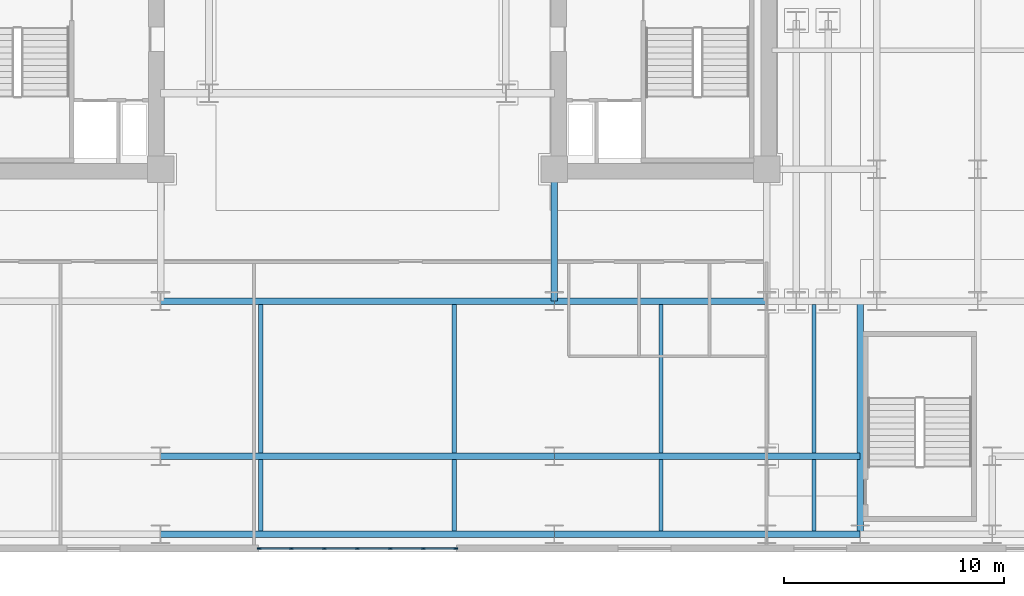
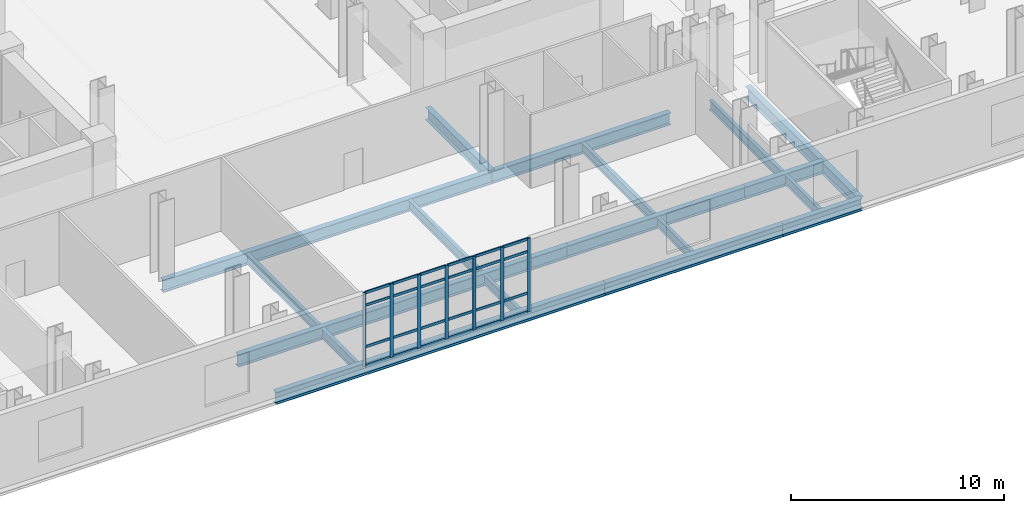
# One storey, part 3 of 15: 31 members, 18 beams, 1 element without a shape of its own.
"""IFC4 building model written with IfcOpenShell, lengths in metres."""

import ifcopenshell
import ifcopenshell.guid

model = None  # the IFC model being written
_history = None  # IfcOwnerHistory: only IFC2X3 demands one
_inside = {}  # id of a spatial element -> (the spatial element, [elements in it])
_under = {}  # id of a project, library or spatial element -> (it, [spatial elements below it])
_declared = {}  # id of a project -> (the project, [libraries it declares])
_typed = {}  # id of a type object -> (the type object, [elements of that type])
_made_of = {}  # id of a material, layer set ... -> (it, [elements and type objects made of it])


def new_model(schema):
    """Start an empty IFC model of exactly this schema.

    Asked for "IFC4X3", IfcOpenShell would pick the latest addendum, in which some entities
    have other attributes; the version numbers below select the first issue.
    IFC2X3 requires an IfcOwnerHistory on every rooted entity: one is made here for all.
    """
    global model, _history
    if schema == "IFC4X3":
        model = ifcopenshell.file(schema_version=(4, 3, 0, 0))
    else:
        model = ifcopenshell.file(schema=schema)
    _inside.clear()
    _under.clear()
    _declared.clear()
    _typed.clear()
    _made_of.clear()
    _history = None
    if model.schema == "IFC2X3":
        org = make("IfcOrganization", Name="unknown")
        user = make(
            "IfcPersonAndOrganization",
            ThePerson=make("IfcPerson", FamilyName="unknown"),
            TheOrganization=org,
        )
        app = make(
            "IfcApplication",
            ApplicationDeveloper=org,
            Version="unknown",
            ApplicationFullName="unknown",
            ApplicationIdentifier="unknown",
        )
        _history = make(
            "IfcOwnerHistory",
            OwningUser=user,
            OwningApplication=app,
            ChangeAction="ADDED",
            CreationDate=0,
        )
    return model


def make(cls, **values):
    """One entity of the class cls with the attributes given. An attribute that is None is left unset."""
    return model.create_entity(
        cls, **{name: value for name, value in values.items() if value is not None}
    )


def rooted(cls, **values):
    """An entity with a GlobalId (a new one), such as an element, a storey or a relation."""
    return make(cls, GlobalId=ifcopenshell.guid.new(), OwnerHistory=_history, **values)


def si_unit(unit_type, name, prefix=None):
    """IfcSIUnit, for example si_unit("LENGTHUNIT", "METRE", prefix="MILLI")."""
    return make("IfcSIUnit", UnitType=unit_type, Prefix=prefix, Name=name)


def assignment(units):
    """IfcUnitAssignment: the units of a project."""
    return None if units is None else make("IfcUnitAssignment", Units=units)


def point(xyz):
    """IfcCartesianPoint."""
    return None if xyz is None else make("IfcCartesianPoint", Coordinates=xyz)


def direction(xyz):
    """IfcDirection."""
    return None if xyz is None else make("IfcDirection", DirectionRatios=xyz)


def frame(location, z_axis=None, x_axis=None):
    """IfcAxis2Placement3D, a coordinate frame: its origin and axes. An axis left out is left unset."""
    return make(
        "IfcAxis2Placement3D",
        Location=point(location),
        Axis=direction(z_axis),
        RefDirection=direction(x_axis),
    )


def frame_2d(location, x_axis=None):
    """IfcAxis2Placement2D, a coordinate frame in the plane: its origin and x axis."""
    return make(
        "IfcAxis2Placement2D", Location=point(location), RefDirection=direction(x_axis)
    )


def origin():
    """The frame at (0, 0, 0) with its axes left unset."""
    return frame((0.0, 0.0, 0.0))


def origin_2d():
    """The frame at (0, 0) in the plane with its x axis left unset."""
    return frame_2d((0.0, 0.0))


def place(relative_to, where):
    """IfcLocalPlacement: puts the frame where relative to a parent placement (None: the world)."""
    return make(
        "IfcLocalPlacement", PlacementRelTo=relative_to, RelativePlacement=where
    )


def context(
    kind, dimensions, precision=None, world=None, true_north=None, identifier=None
):
    """IfcGeometricRepresentationContext, for example the 3D "Model" context."""
    return make(
        "IfcGeometricRepresentationContext",
        ContextIdentifier=identifier,
        ContextType=kind,
        CoordinateSpaceDimension=dimensions,
        Precision=precision,
        WorldCoordinateSystem=world,
        TrueNorth=true_north,
    )


def subcontext(parent, identifier, kind, view, scale=None):
    """IfcGeometricRepresentationSubContext, for example "Body" below "Model"."""
    return make(
        "IfcGeometricRepresentationSubContext",
        ContextIdentifier=identifier,
        ContextType=kind,
        ParentContext=parent,
        TargetScale=scale,
        TargetView=view,
    )


def project(units=None, contexts=None):
    """IfcProject with its units and contexts."""
    return rooted(
        "IfcProject",
        Name="project",
        RepresentationContexts=contexts,
        UnitsInContext=assignment(units),
    )


def spatial(cls, under=None, at=None, **own):
    """A site, building, storey or space (cls), placed at a placement, below another one or the project."""
    s = rooted(cls, ObjectPlacement=at, **own)
    if under is not None:
        _under.setdefault(under.id(), (under, []))[1].append(s)
    return s


def profile(cls, at=None, kind="AREA", **sizes):
    """A parametric profile (cls). Its sizes go by their IFC names, for example OverallWidth=200.0."""
    return make(cls, ProfileType=kind, Position=at, **sizes)


def rectangle(**sizes):
    """IfcRectangleProfileDef."""
    return profile("IfcRectangleProfileDef", **sizes)


def i_section(**sizes):
    """IfcIShapeProfileDef."""
    return profile("IfcIShapeProfileDef", **sizes)


def extrude(swept, where, along, depth):
    """IfcExtrudedAreaSolid: the profile swept, set in the frame where, extruded along a direction by depth."""
    return make(
        "IfcExtrudedAreaSolid",
        SweptArea=swept,
        Position=where,
        ExtrudedDirection=direction(along),
        Depth=depth,
    )


def shape(context_of_items, identifier, shape_type, items):
    """IfcShapeRepresentation: the items that make up one representation, for example the "Body"."""
    return make(
        "IfcShapeRepresentation",
        ContextOfItems=context_of_items,
        RepresentationIdentifier=identifier,
        RepresentationType=shape_type,
        Items=items,
    )


def material(Name=None, Category=None):
    """IfcMaterial."""
    return make("IfcMaterial", Name=Name, Category=Category)


def layer(
    of_material, thickness, ventilated=None, Name=None, Category=None, Priority=None
):
    """IfcMaterialLayer: one layer of a wall or slab, of a material (None: an air gap)."""
    return make(
        "IfcMaterialLayer",
        Material=of_material,
        LayerThickness=thickness,
        IsVentilated=ventilated,
        Name=Name,
        Category=Category,
        Priority=Priority,
    )


def layer_set(layers, Name=None):
    """IfcMaterialLayerSet."""
    return make("IfcMaterialLayerSet", MaterialLayers=layers, LayerSetName=Name)


def material_profile(
    of_material, cross_section, Name=None, Category=None, Priority=None
):
    """IfcMaterialProfile: a cross section and its material."""
    return make(
        "IfcMaterialProfile",
        Name=Name,
        Material=of_material,
        Profile=cross_section,
        Priority=Priority,
        Category=Category,
    )


def profile_set(profiles, Name=None, composite=None):
    """IfcMaterialProfileSet."""
    return make(
        "IfcMaterialProfileSet",
        Name=Name,
        MaterialProfiles=profiles,
        CompositeProfile=composite,
    )


def made_of(thing, what):
    """Note that an element or type object is made of a material, layer set ...; save() writes the relation."""
    if what is not None:
        _made_of.setdefault(what.id(), (what, []))[1].append(thing)
    return thing


def type_object(cls, material=None, **own):
    """A type object (cls), such as IfcWallType, which elements share."""
    return made_of(rooted(cls, **own), material)


def element(
    cls,
    number,
    at=None,
    inside=None,
    cuts=None,
    type_object=None,
    material=None,
    context=None,
    identifier="Body",
    shape_type=None,
    held_by="IfcProductDefinitionShape",
    body=None,
    shapes=None,
    **own,
):
    """One element of the class cls, such as IfcWall. Its Tag is "e" and its number.

    at: its placement. inside: the storey or other place that contains it. cuts: it is an
    opening in that element (IfcRelVoidsElement). A single representation is given by context,
    identifier, shape_type and body (its items); several are given by shapes. held_by: the class
    of the entity that holds the representations. save() writes the other relations.
    """
    e = rooted(cls, Tag="e%d" % number, ObjectPlacement=at, **own)
    if body is not None:
        shapes = [shape(context, identifier, shape_type, body)]
    if shapes is not None:
        e.Representation = make(held_by, Representations=shapes)
    if inside is not None:
        _inside.setdefault(inside.id(), (inside, []))[1].append(e)
    if cuts is not None:
        rooted(
            "IfcRelVoidsElement", RelatingBuildingElement=cuts, RelatedOpeningElement=e
        )
    if type_object is not None:
        _typed.setdefault(type_object.id(), (type_object, []))[1].append(e)
    return made_of(e, material)


def aggregate(whole, parts):
    """IfcRelAggregates: a whole, such as a stair, and the parts it consists of."""
    return rooted("IfcRelAggregates", RelatingObject=whole, RelatedObjects=parts)


def save(model, path):
    """Write the relations noted so far, then the file.

    IfcRelAggregates (storeys below a building ...), IfcRelContainedInSpatialStructure (elements
    in a storey), IfcRelDefinesByType, IfcRelAssociatesMaterial and IfcRelDeclares: one each for
    every whole, place, type object, material and project.
    """
    for whole, parts in _under.values():
        aggregate(whole, parts)
    for where, things in _inside.values():
        rooted(
            "IfcRelContainedInSpatialStructure",
            RelatedElements=things,
            RelatingStructure=where,
        )
    for kind, things in _typed.values():
        rooted("IfcRelDefinesByType", RelatedObjects=things, RelatingType=kind)
    for what, things in _made_of.values():
        rooted("IfcRelAssociatesMaterial", RelatedObjects=things, RelatingMaterial=what)
    for by, libraries in _declared.values():
        rooted("IfcRelDeclares", RelatingContext=by, RelatedDefinitions=libraries)
    model.write(path)


model = new_model("IFC4")

# Units and contexts
model_context = context("Model", 3, precision=1e-05, world=origin(), true_north=direction((0.0, 1.0)))
body_context = subcontext(model_context, "Body", "Model", "MODEL_VIEW")
ifc_project = project(units=[si_unit("LENGTHUNIT", "METRE"), si_unit("AREAUNIT", "SQUARE_METRE"), si_unit("VOLUMEUNIT", "CUBIC_METRE"), si_unit("PLANEANGLEUNIT", "RADIAN"), si_unit("MASSUNIT", "GRAM", prefix="KILO")], contexts=[model_context])

# Site, building, storey
site_placement = place(None, origin())
site = spatial("IfcSite", under=ifc_project, at=site_placement, CompositionType="ELEMENT")
building_placement = place(site_placement, origin())
building = spatial("IfcBuilding", under=site, at=building_placement, Name="Velakula Bourse", CompositionType="ELEMENT")
storey_placement = place(building_placement, frame((0.0, 0.0, 14.10009765625)))
storey = spatial("IfcBuildingStorey", under=building, at=storey_placement, Name="L03", CompositionType="ELEMENT", Elevation=14.10009765625)

# Beams
ifc_material_1 = material(Name="Steel IS 2062 Grade 350 (E350)", Category="steel")
ifc_material_profile_1 = material_profile(ifc_material_1, i_section(OverallWidth=0.300048828125, OverallDepth=0.699951171875, WebThickness=0.01611328125, FlangeThickness=0.02490234375, at=origin_2d()), Name="Steel IS 2062 Grade 350 (E350)")
ifc_profile_set_1 = profile_set([ifc_material_profile_1], Name="Steel IS 2062 Grade 350 (E350)")
beam_type_1 = type_object("IfcBeamType", Name="BM-POD-700", PredefinedType="BEAM", material=ifc_profile_set_1)
beam_1_placement = place(storey_placement, frame((8.949951171875, -14.60009765625, -0.60009765625), z_axis=(0.0, 1.0, 0.0), x_axis=(-1.0, 0.0, 0.0)))
element("IfcBeam", 1, at=beam_1_placement, inside=storey, type_object=beam_type_1, Name="L03 Fulcrum Grid Girder FLC-ECS", PredefinedType="BEAM", context=body_context, shape_type="SweptSolid", body=[
    extrude(i_section(OverallWidth=0.300048828125, OverallDepth=0.699951171875, WebThickness=0.01611328125, FlangeThickness=0.02490234375, at=origin_2d()), origin(), (0.0, 0.0, 1.0), 6.0),
])
beam_2_placement = place(storey_placement, frame((-8.949951171875, -14.60009765625, -0.60009765625), z_axis=(1.0, 0.0, 0.0), x_axis=(0.0, 1.0, 0.0)))
element("IfcBeam", 2, at=beam_2_placement, inside=storey, type_object=beam_type_1, Name="L03 Fulcrum Grid Girder FLC-S2", PredefinedType="BEAM", context=body_context, shape_type="SweptSolid", body=[
    extrude(i_section(OverallWidth=0.300048828125, OverallDepth=0.699951171875, WebThickness=0.01611328125, FlangeThickness=0.02490234375, at=origin_2d()), origin(), (0.0, 0.0, 1.0), 17.89990234375),
])
beam_3_placement = place(storey_placement, frame((8.949951171875, -14.60009765625, -0.60009765625), z_axis=(1.0, 0.0, 0.0), x_axis=(0.0, 1.0, 0.0)))
element("IfcBeam", 3, at=beam_3_placement, inside=storey, type_object=beam_type_1, Name="L03 Fulcrum Grid Girder FLC-S3", PredefinedType="BEAM", context=body_context, shape_type="SweptSolid", body=[
    extrude(i_section(OverallWidth=0.300048828125, OverallDepth=0.699951171875, WebThickness=0.01611328125, FlangeThickness=0.02490234375, at=origin_2d()), origin(), (0.0, 0.0, 1.0), 9.650146484375),
])
beam_4_placement = place(storey_placement, frame((22.85009765625, -25.199951171875, -0.60009765625), z_axis=(0.0, 1.0, 0.0), x_axis=(-1.0, 0.0, 0.0)))
element("IfcBeam", 4, at=beam_4_placement, inside=storey, type_object=beam_type_1, Name="L03 Podium Stairwell Header Girder STE", PredefinedType="BEAM", context=body_context, shape_type="SweptSolid", body=[
    extrude(i_section(OverallWidth=0.300048828125, OverallDepth=0.699951171875, WebThickness=0.01611328125, FlangeThickness=0.02490234375, at=origin_2d()), origin(), (0.0, 0.0, 1.0), 10.599853515625),
])
beam_5_placement = place(storey_placement, frame((-8.949951171875, -25.199951171875, -0.60009765625), z_axis=(1.0, 0.0, 0.0), x_axis=(0.0, 1.0, 0.0)))
element("IfcBeam", 5, at=beam_5_placement, inside=storey, type_object=beam_type_1, Name="L03 Podium E-W Girder 06", PredefinedType="BEAM", context=body_context, shape_type="SweptSolid", body=[
    extrude(i_section(OverallWidth=0.300048828125, OverallDepth=0.699951171875, WebThickness=0.01611328125, FlangeThickness=0.02490234375, at=origin_2d()), origin(), (0.0, 0.0, 1.0), 17.89990234375),
])
beam_6_placement = place(storey_placement, frame((8.949951171875, -25.199951171875, -0.60009765625), z_axis=(1.0, 0.0, 0.0), x_axis=(0.0, 1.0, 0.0)))
element("IfcBeam", 6, at=beam_6_placement, inside=storey, type_object=beam_type_1, Name="L03 Podium E-W Girder 07", PredefinedType="BEAM", context=body_context, shape_type="SweptSolid", body=[
    extrude(i_section(OverallWidth=0.300048828125, OverallDepth=0.699951171875, WebThickness=0.01611328125, FlangeThickness=0.02490234375, at=origin_2d()), origin(), (0.0, 0.0, 1.0), 9.650146484375),
])
beam_7_placement = place(storey_placement, frame((18.60009765625, -25.199951171875, -0.60009765625), z_axis=(1.0, 0.0, 0.0), x_axis=(0.0, 1.0, 0.0)))
element("IfcBeam", 7, at=beam_7_placement, inside=storey, type_object=beam_type_1, Name="L03 Podium E-W Girder 08", PredefinedType="BEAM", context=body_context, shape_type="SweptSolid", body=[
    extrude(i_section(OverallWidth=0.300048828125, OverallDepth=0.699951171875, WebThickness=0.01611328125, FlangeThickness=0.02490234375, at=origin_2d()), origin(), (0.0, 0.0, 1.0), 4.25),
])
beam_8_placement = place(storey_placement, frame((-8.949951171875, -21.64990234375, -0.60009765625), z_axis=(1.0, 0.0, 0.0), x_axis=(0.0, 1.0, 0.0)))
element("IfcBeam", 8, at=beam_8_placement, inside=storey, type_object=beam_type_1, Name="L03 Podium E-W Girder 16", PredefinedType="BEAM", context=body_context, shape_type="SweptSolid", body=[
    extrude(i_section(OverallWidth=0.300048828125, OverallDepth=0.699951171875, WebThickness=0.01611328125, FlangeThickness=0.02490234375, at=origin_2d()), origin(), (0.0, 0.0, 1.0), 17.89990234375),
])
beam_9_placement = place(storey_placement, frame((8.949951171875, -21.64990234375, -0.60009765625), z_axis=(1.0, 0.0, 0.0), x_axis=(0.0, 1.0, 0.0)))
element("IfcBeam", 9, at=beam_9_placement, inside=storey, type_object=beam_type_1, Name="L03 Podium E-W Girder 17", PredefinedType="BEAM", context=body_context, shape_type="SweptSolid", body=[
    extrude(i_section(OverallWidth=0.300048828125, OverallDepth=0.699951171875, WebThickness=0.01611328125, FlangeThickness=0.02490234375, at=origin_2d()), origin(), (0.0, 0.0, 1.0), 9.650146484375),
])
beam_10_placement = place(storey_placement, frame((18.60009765625, -21.64990234375, -0.60009765625), z_axis=(1.0, 0.0, 0.0), x_axis=(0.0, 1.0, 0.0)))
element("IfcBeam", 10, at=beam_10_placement, inside=storey, type_object=beam_type_1, Name="L03 Podium E-W Girder 18", PredefinedType="BEAM", context=body_context, shape_type="SweptSolid", body=[
    extrude(i_section(OverallWidth=0.300048828125, OverallDepth=0.699951171875, WebThickness=0.01611328125, FlangeThickness=0.02490234375, at=origin_2d()), origin(), (0.0, 0.0, 1.0), 4.25),
])
ifc_material_profile_2 = material_profile(ifc_material_1, i_section(OverallWidth=0.18994140625, OverallDepth=0.550048828125, WebThickness=0.01123046875, FlangeThickness=0.019287109375, at=origin_2d()), Name="Steel IS 2062 Grade 350 (E350)")
ifc_profile_set_2 = profile_set([ifc_material_profile_2], Name="Steel IS 2062 Grade 350 (E350)")
beam_type_2 = type_object("IfcBeamType", Name="JST-POD-550", PredefinedType="JOIST", material=ifc_profile_set_2)
beam_11_placement = place(storey_placement, frame((-4.39990234375, -25.050048828125, -0.525146484375), z_axis=(0.0, 1.0, 0.0), x_axis=(-1.0, 0.0, 0.0)))
element("IfcBeam", 11, at=beam_11_placement, inside=storey, type_object=beam_type_2, Name="L03 Station Podium Floor Joist 13", PredefinedType="JOIST", context=body_context, shape_type="SweptSolid", body=[
    extrude(i_section(OverallWidth=0.18994140625, OverallDepth=0.550048828125, WebThickness=0.01123046875, FlangeThickness=0.019287109375, at=origin_2d()), origin(), (0.0, 0.0, 1.0), 3.25),
])
beam_12_placement = place(storey_placement, frame((-4.39990234375, -21.5, -0.525146484375), z_axis=(0.0, 1.0, 0.0), x_axis=(-1.0, 0.0, 0.0)))
element("IfcBeam", 12, at=beam_12_placement, inside=storey, type_object=beam_type_2, Name="L03 Station Podium Floor Joist 14", PredefinedType="JOIST", context=body_context, shape_type="SweptSolid", body=[
    extrude(i_section(OverallWidth=0.18994140625, OverallDepth=0.550048828125, WebThickness=0.01123046875, FlangeThickness=0.019287109375, at=origin_2d()), origin(), (0.0, 0.0, 1.0), 6.75),
])
beam_13_placement = place(storey_placement, frame((4.39990234375, -25.050048828125, -0.525146484375), z_axis=(0.0, 1.0, 0.0), x_axis=(-1.0, 0.0, 0.0)))
element("IfcBeam", 13, at=beam_13_placement, inside=storey, type_object=beam_type_2, Name="L03 Station Podium Floor Joist 17", PredefinedType="JOIST", context=body_context, shape_type="SweptSolid", body=[
    extrude(i_section(OverallWidth=0.18994140625, OverallDepth=0.550048828125, WebThickness=0.01123046875, FlangeThickness=0.019287109375, at=origin_2d()), origin(), (0.0, 0.0, 1.0), 3.25),
])
beam_14_placement = place(storey_placement, frame((4.39990234375, -21.5, -0.525146484375), z_axis=(0.0, 1.0, 0.0), x_axis=(-1.0, 0.0, 0.0)))
element("IfcBeam", 14, at=beam_14_placement, inside=storey, type_object=beam_type_2, Name="L03 Station Podium Floor Joist 18", PredefinedType="JOIST", context=body_context, shape_type="SweptSolid", body=[
    extrude(i_section(OverallWidth=0.18994140625, OverallDepth=0.550048828125, WebThickness=0.01123046875, FlangeThickness=0.019287109375, at=origin_2d()), origin(), (0.0, 0.0, 1.0), 6.75),
])
beam_15_placement = place(storey_placement, frame((13.800048828125, -25.050048828125, -0.525146484375), z_axis=(0.0, 1.0, 0.0), x_axis=(-1.0, 0.0, 0.0)))
element("IfcBeam", 15, at=beam_15_placement, inside=storey, type_object=beam_type_2, Name="L03 Station Podium Floor Joist 21", PredefinedType="JOIST", context=body_context, shape_type="SweptSolid", body=[
    extrude(i_section(OverallWidth=0.18994140625, OverallDepth=0.550048828125, WebThickness=0.01123046875, FlangeThickness=0.019287109375, at=origin_2d()), origin(), (0.0, 0.0, 1.0), 3.25),
])
beam_16_placement = place(storey_placement, frame((13.800048828125, -21.5, -0.525146484375), z_axis=(0.0, 1.0, 0.0), x_axis=(-1.0, 0.0, 0.0)))
element("IfcBeam", 16, at=beam_16_placement, inside=storey, type_object=beam_type_2, Name="L03 Station Podium Floor Joist 22", PredefinedType="JOIST", context=body_context, shape_type="SweptSolid", body=[
    extrude(i_section(OverallWidth=0.18994140625, OverallDepth=0.550048828125, WebThickness=0.01123046875, FlangeThickness=0.019287109375, at=origin_2d()), origin(), (0.0, 0.0, 1.0), 6.75),
])
beam_17_placement = place(storey_placement, frame((20.75, -25.050048828125, -0.525146484375), z_axis=(0.0, 1.0, 0.0), x_axis=(-1.0, 0.0, 0.0)))
element("IfcBeam", 17, at=beam_17_placement, inside=storey, type_object=beam_type_2, Name="L03 Station Podium Floor Joist 25", PredefinedType="JOIST", context=body_context, shape_type="SweptSolid", body=[
    extrude(i_section(OverallWidth=0.18994140625, OverallDepth=0.550048828125, WebThickness=0.01123046875, FlangeThickness=0.019287109375, at=origin_2d()), origin(), (0.0, 0.0, 1.0), 3.25),
])
beam_18_placement = place(storey_placement, frame((20.75, -21.5, -0.525146484375), z_axis=(0.0, 1.0, 0.0), x_axis=(-1.0, 0.0, 0.0)))
element("IfcBeam", 18, at=beam_18_placement, inside=storey, type_object=beam_type_2, Name="L03 Station Podium Floor Joist 26", PredefinedType="JOIST", context=body_context, shape_type="SweptSolid", body=[
    extrude(i_section(OverallWidth=0.18994140625, OverallDepth=0.550048828125, WebThickness=0.01123046875, FlangeThickness=0.019287109375, at=origin_2d()), origin(), (0.0, 0.0, 1.0), 6.75),
])

# Curtain wall, members
ifc_material_2 = material(Name="Anodised bronze architectural aluminium", Category="aluminium")
ifc_layer = layer(ifc_material_2, 0.179931640625, Name="Anodised bronze architectural aluminium", Category="aluminium")
ifc_layer_set = layer_set([ifc_layer], Name="Anodised bronze architectural aluminium")
curtain_wall_type = type_object("IfcCurtainWallType", Name="CW-PD1", PredefinedType="NOTDEFINED", material=ifc_layer_set)
curtain_wall_placement = place(storey_placement, origin())
curtain_wall = element("IfcCurtainWall", 19, at=curtain_wall_placement, inside=storey, type_object=curtain_wall_type, Name="L03 South Station Galleria Curtain Wall 2", PredefinedType="NOTDEFINED")
ifc_material_profile_3 = material_profile(ifc_material_2, rectangle(XDim=0.06005859375, YDim=0.179931640625, at=origin_2d()), Name="Anodised bronze architectural aluminium")
ifc_profile_set_3 = profile_set([ifc_material_profile_3], Name="Anodised bronze architectural aluminium")
member_type_1 = type_object("IfcMemberType", Name="MUL-CW-PD1", PredefinedType="MULLION", material=ifc_profile_set_3)
member_1_placement = place(storey_placement, frame((4.469970703125, -25.840087890625, 0.0), z_axis=(0.0, 0.0, 1.0), x_axis=(0.0, -1.0, 0.0)))
member_1 = element("IfcMember", 20, at=member_1_placement, type_object=member_type_1, Name="CW-PD1 mullion 1", PredefinedType="MULLION", context=body_context, shape_type="SweptSolid", body=[
    extrude(rectangle(XDim=0.06005859375, YDim=0.179931640625, at=origin_2d()), origin(), (0.0, 0.0, 1.0), 4.22998046875),
])
member_2_placement = place(storey_placement, frame((3.0, -25.840087890625, 0.0), z_axis=(0.0, 0.0, 1.0), x_axis=(0.0, -1.0, 0.0)))
member_2 = element("IfcMember", 21, at=member_2_placement, type_object=member_type_1, Name="CW-PD1 mullion 2", PredefinedType="MULLION", context=body_context, shape_type="SweptSolid", body=[
    extrude(rectangle(XDim=0.06005859375, YDim=0.179931640625, at=origin_2d()), origin(), (0.0, 0.0, 1.0), 4.22998046875),
])
member_3_placement = place(storey_placement, frame((1.5, -25.840087890625, 0.0), z_axis=(0.0, 0.0, 1.0), x_axis=(0.0, -1.0, 0.0)))
member_3 = element("IfcMember", 22, at=member_3_placement, type_object=member_type_1, Name="CW-PD1 mullion 3", PredefinedType="MULLION", context=body_context, shape_type="SweptSolid", body=[
    extrude(rectangle(XDim=0.06005859375, YDim=0.179931640625, at=origin_2d()), origin(), (0.0, 0.0, 1.0), 4.22998046875),
])
member_4_placement = place(storey_placement, frame((0.0, -25.840087890625, 0.0), z_axis=(0.0, 0.0, 1.0), x_axis=(0.0, -1.0, 0.0)))
member_4 = element("IfcMember", 23, at=member_4_placement, type_object=member_type_1, Name="CW-PD1 mullion 4", PredefinedType="MULLION", context=body_context, shape_type="SweptSolid", body=[
    extrude(rectangle(XDim=0.06005859375, YDim=0.179931640625, at=origin_2d()), origin(), (0.0, 0.0, 1.0), 4.22998046875),
])
member_5_placement = place(storey_placement, frame((-1.5, -25.840087890625, 0.0), z_axis=(0.0, 0.0, 1.0), x_axis=(0.0, -1.0, 0.0)))
member_5 = element("IfcMember", 24, at=member_5_placement, type_object=member_type_1, Name="CW-PD1 mullion 5", PredefinedType="MULLION", context=body_context, shape_type="SweptSolid", body=[
    extrude(rectangle(XDim=0.06005859375, YDim=0.179931640625, at=origin_2d()), origin(), (0.0, 0.0, 1.0), 4.22998046875),
])
member_6_placement = place(storey_placement, frame((-3.0, -25.840087890625, 0.0), z_axis=(0.0, 0.0, 1.0), x_axis=(0.0, -1.0, 0.0)))
member_6 = element("IfcMember", 25, at=member_6_placement, type_object=member_type_1, Name="CW-PD1 mullion 6", PredefinedType="MULLION", context=body_context, shape_type="SweptSolid", body=[
    extrude(rectangle(XDim=0.06005859375, YDim=0.179931640625, at=origin_2d()), origin(), (0.0, 0.0, 1.0), 4.22998046875),
])
member_7_placement = place(storey_placement, frame((-4.469970703125, -25.840087890625, 0.0), z_axis=(0.0, 0.0, 1.0), x_axis=(0.0, -1.0, 0.0)))
member_7 = element("IfcMember", 26, at=member_7_placement, type_object=member_type_1, Name="CW-PD1 mullion 7", PredefinedType="MULLION", context=body_context, shape_type="SweptSolid", body=[
    extrude(rectangle(XDim=0.06005859375, YDim=0.179931640625, at=origin_2d()), origin(), (0.0, 0.0, 1.0), 4.22998046875),
])
ifc_material_profile_4 = material_profile(ifc_material_2, rectangle(XDim=0.06005859375, YDim=0.14990234375, at=origin_2d()), Name="Anodised bronze architectural aluminium")
ifc_profile_set_4 = profile_set([ifc_material_profile_4], Name="Anodised bronze architectural aluminium")
member_type_2 = type_object("IfcMemberType", Name="TRN-CW-PD1", PredefinedType="USERDEFINED", material=ifc_profile_set_4)
member_8_placement = place(storey_placement, frame((4.43994140625, -25.840087890625, 0.02978515625), z_axis=(-1.0, 0.0, 0.0), x_axis=(0.0, -1.0, 0.0)))
member_8 = element("IfcMember", 27, at=member_8_placement, type_object=member_type_2, Name="CW-PD1 transom 1.1", ObjectType="TRANSOM", PredefinedType="USERDEFINED", context=body_context, shape_type="SweptSolid", body=[
    extrude(rectangle(XDim=0.06005859375, YDim=0.14990234375, at=origin_2d()), origin(), (0.0, 0.0, 1.0), 1.409912109375),
])
member_9_placement = place(storey_placement, frame((4.43994140625, -25.840087890625, 1.099853515625), z_axis=(-1.0, 0.0, 0.0), x_axis=(0.0, -1.0, 0.0)))
member_9 = element("IfcMember", 28, at=member_9_placement, type_object=member_type_2, Name="CW-PD1 transom 1.2", ObjectType="TRANSOM", PredefinedType="USERDEFINED", context=body_context, shape_type="SweptSolid", body=[
    extrude(rectangle(XDim=0.06005859375, YDim=0.14990234375, at=origin_2d()), origin(), (0.0, 0.0, 1.0), 1.409912109375),
])
member_10_placement = place(storey_placement, frame((4.43994140625, -25.840087890625, 3.47998046875), z_axis=(-1.0, 0.0, 0.0), x_axis=(0.0, -1.0, 0.0)))
member_10 = element("IfcMember", 29, at=member_10_placement, type_object=member_type_2, Name="CW-PD1 transom 1.3", ObjectType="TRANSOM", PredefinedType="USERDEFINED", context=body_context, shape_type="SweptSolid", body=[
    extrude(rectangle(XDim=0.06005859375, YDim=0.14990234375, at=origin_2d()), origin(), (0.0, 0.0, 1.0), 1.409912109375),
])
member_11_placement = place(storey_placement, frame((4.43994140625, -25.840087890625, 4.199951171875), z_axis=(-1.0, 0.0, 0.0), x_axis=(0.0, -1.0, 0.0)))
member_11 = element("IfcMember", 30, at=member_11_placement, type_object=member_type_2, Name="CW-PD1 transom 1.4", ObjectType="TRANSOM", PredefinedType="USERDEFINED", context=body_context, shape_type="SweptSolid", body=[
    extrude(rectangle(XDim=0.06005859375, YDim=0.14990234375, at=origin_2d()), origin(), (0.0, 0.0, 1.0), 1.409912109375),
])
member_12_placement = place(storey_placement, frame((2.969970703125, -25.840087890625, 0.02978515625), z_axis=(-1.0, 0.0, 0.0), x_axis=(0.0, -1.0, 0.0)))
member_12 = element("IfcMember", 31, at=member_12_placement, type_object=member_type_2, Name="CW-PD1 transom 2.1", ObjectType="TRANSOM", PredefinedType="USERDEFINED", context=body_context, shape_type="SweptSolid", body=[
    extrude(rectangle(XDim=0.06005859375, YDim=0.14990234375, at=origin_2d()), origin(), (0.0, 0.0, 1.0), 1.43994140625),
])
member_13_placement = place(storey_placement, frame((2.969970703125, -25.840087890625, 1.099853515625), z_axis=(-1.0, 0.0, 0.0), x_axis=(0.0, -1.0, 0.0)))
member_13 = element("IfcMember", 32, at=member_13_placement, type_object=member_type_2, Name="CW-PD1 transom 2.2", ObjectType="TRANSOM", PredefinedType="USERDEFINED", context=body_context, shape_type="SweptSolid", body=[
    extrude(rectangle(XDim=0.06005859375, YDim=0.14990234375, at=origin_2d()), origin(), (0.0, 0.0, 1.0), 1.43994140625),
])
member_14_placement = place(storey_placement, frame((2.969970703125, -25.840087890625, 3.47998046875), z_axis=(-1.0, 0.0, 0.0), x_axis=(0.0, -1.0, 0.0)))
member_14 = element("IfcMember", 33, at=member_14_placement, type_object=member_type_2, Name="CW-PD1 transom 2.3", ObjectType="TRANSOM", PredefinedType="USERDEFINED", context=body_context, shape_type="SweptSolid", body=[
    extrude(rectangle(XDim=0.06005859375, YDim=0.14990234375, at=origin_2d()), origin(), (0.0, 0.0, 1.0), 1.43994140625),
])
member_15_placement = place(storey_placement, frame((2.969970703125, -25.840087890625, 4.199951171875), z_axis=(-1.0, 0.0, 0.0), x_axis=(0.0, -1.0, 0.0)))
member_15 = element("IfcMember", 34, at=member_15_placement, type_object=member_type_2, Name="CW-PD1 transom 2.4", ObjectType="TRANSOM", PredefinedType="USERDEFINED", context=body_context, shape_type="SweptSolid", body=[
    extrude(rectangle(XDim=0.06005859375, YDim=0.14990234375, at=origin_2d()), origin(), (0.0, 0.0, 1.0), 1.43994140625),
])
member_16_placement = place(storey_placement, frame((1.469970703125, -25.840087890625, 0.02978515625), z_axis=(-1.0, 0.0, 0.0), x_axis=(0.0, -1.0, 0.0)))
member_16 = element("IfcMember", 35, at=member_16_placement, type_object=member_type_2, Name="CW-PD1 transom 3.1", ObjectType="TRANSOM", PredefinedType="USERDEFINED", context=body_context, shape_type="SweptSolid", body=[
    extrude(rectangle(XDim=0.06005859375, YDim=0.14990234375, at=origin_2d()), origin(), (0.0, 0.0, 1.0), 1.43994140625),
])
member_17_placement = place(storey_placement, frame((1.469970703125, -25.840087890625, 1.099853515625), z_axis=(-1.0, 0.0, 0.0), x_axis=(0.0, -1.0, 0.0)))
member_17 = element("IfcMember", 36, at=member_17_placement, type_object=member_type_2, Name="CW-PD1 transom 3.2", ObjectType="TRANSOM", PredefinedType="USERDEFINED", context=body_context, shape_type="SweptSolid", body=[
    extrude(rectangle(XDim=0.06005859375, YDim=0.14990234375, at=origin_2d()), origin(), (0.0, 0.0, 1.0), 1.43994140625),
])
member_18_placement = place(storey_placement, frame((1.469970703125, -25.840087890625, 3.47998046875), z_axis=(-1.0, 0.0, 0.0), x_axis=(0.0, -1.0, 0.0)))
member_18 = element("IfcMember", 37, at=member_18_placement, type_object=member_type_2, Name="CW-PD1 transom 3.3", ObjectType="TRANSOM", PredefinedType="USERDEFINED", context=body_context, shape_type="SweptSolid", body=[
    extrude(rectangle(XDim=0.06005859375, YDim=0.14990234375, at=origin_2d()), origin(), (0.0, 0.0, 1.0), 1.43994140625),
])
member_19_placement = place(storey_placement, frame((1.469970703125, -25.840087890625, 4.199951171875), z_axis=(-1.0, 0.0, 0.0), x_axis=(0.0, -1.0, 0.0)))
member_19 = element("IfcMember", 38, at=member_19_placement, type_object=member_type_2, Name="CW-PD1 transom 3.4", ObjectType="TRANSOM", PredefinedType="USERDEFINED", context=body_context, shape_type="SweptSolid", body=[
    extrude(rectangle(XDim=0.06005859375, YDim=0.14990234375, at=origin_2d()), origin(), (0.0, 0.0, 1.0), 1.43994140625),
])
member_20_placement = place(storey_placement, frame((-0.030029296875, -25.840087890625, 0.02978515625), z_axis=(-1.0, 0.0, 0.0), x_axis=(0.0, -1.0, 0.0)))
member_20 = element("IfcMember", 39, at=member_20_placement, type_object=member_type_2, Name="CW-PD1 transom 4.1", ObjectType="TRANSOM", PredefinedType="USERDEFINED", context=body_context, shape_type="SweptSolid", body=[
    extrude(rectangle(XDim=0.06005859375, YDim=0.14990234375, at=origin_2d()), origin(), (0.0, 0.0, 1.0), 1.43994140625),
])
member_21_placement = place(storey_placement, frame((-0.030029296875, -25.840087890625, 1.099853515625), z_axis=(-1.0, 0.0, 0.0), x_axis=(0.0, -1.0, 0.0)))
member_21 = element("IfcMember", 40, at=member_21_placement, type_object=member_type_2, Name="CW-PD1 transom 4.2", ObjectType="TRANSOM", PredefinedType="USERDEFINED", context=body_context, shape_type="SweptSolid", body=[
    extrude(rectangle(XDim=0.06005859375, YDim=0.14990234375, at=origin_2d()), origin(), (0.0, 0.0, 1.0), 1.43994140625),
])
member_22_placement = place(storey_placement, frame((-0.030029296875, -25.840087890625, 3.47998046875), z_axis=(-1.0, 0.0, 0.0), x_axis=(0.0, -1.0, 0.0)))
member_22 = element("IfcMember", 41, at=member_22_placement, type_object=member_type_2, Name="CW-PD1 transom 4.3", ObjectType="TRANSOM", PredefinedType="USERDEFINED", context=body_context, shape_type="SweptSolid", body=[
    extrude(rectangle(XDim=0.06005859375, YDim=0.14990234375, at=origin_2d()), origin(), (0.0, 0.0, 1.0), 1.43994140625),
])
member_23_placement = place(storey_placement, frame((-0.030029296875, -25.840087890625, 4.199951171875), z_axis=(-1.0, 0.0, 0.0), x_axis=(0.0, -1.0, 0.0)))
member_23 = element("IfcMember", 42, at=member_23_placement, type_object=member_type_2, Name="CW-PD1 transom 4.4", ObjectType="TRANSOM", PredefinedType="USERDEFINED", context=body_context, shape_type="SweptSolid", body=[
    extrude(rectangle(XDim=0.06005859375, YDim=0.14990234375, at=origin_2d()), origin(), (0.0, 0.0, 1.0), 1.43994140625),
])
member_24_placement = place(storey_placement, frame((-1.530029296875, -25.840087890625, 0.02978515625), z_axis=(-1.0, 0.0, 0.0), x_axis=(0.0, -1.0, 0.0)))
member_24 = element("IfcMember", 43, at=member_24_placement, type_object=member_type_2, Name="CW-PD1 transom 5.1", ObjectType="TRANSOM", PredefinedType="USERDEFINED", context=body_context, shape_type="SweptSolid", body=[
    extrude(rectangle(XDim=0.06005859375, YDim=0.14990234375, at=origin_2d()), origin(), (0.0, 0.0, 1.0), 1.43994140625),
])
member_25_placement = place(storey_placement, frame((-1.530029296875, -25.840087890625, 1.099853515625), z_axis=(-1.0, 0.0, 0.0), x_axis=(0.0, -1.0, 0.0)))
member_25 = element("IfcMember", 44, at=member_25_placement, type_object=member_type_2, Name="CW-PD1 transom 5.2", ObjectType="TRANSOM", PredefinedType="USERDEFINED", context=body_context, shape_type="SweptSolid", body=[
    extrude(rectangle(XDim=0.06005859375, YDim=0.14990234375, at=origin_2d()), origin(), (0.0, 0.0, 1.0), 1.43994140625),
])
member_26_placement = place(storey_placement, frame((-1.530029296875, -25.840087890625, 3.47998046875), z_axis=(-1.0, 0.0, 0.0), x_axis=(0.0, -1.0, 0.0)))
member_26 = element("IfcMember", 45, at=member_26_placement, type_object=member_type_2, Name="CW-PD1 transom 5.3", ObjectType="TRANSOM", PredefinedType="USERDEFINED", context=body_context, shape_type="SweptSolid", body=[
    extrude(rectangle(XDim=0.06005859375, YDim=0.14990234375, at=origin_2d()), origin(), (0.0, 0.0, 1.0), 1.43994140625),
])
member_27_placement = place(storey_placement, frame((-1.530029296875, -25.840087890625, 4.199951171875), z_axis=(-1.0, 0.0, 0.0), x_axis=(0.0, -1.0, 0.0)))
member_27 = element("IfcMember", 46, at=member_27_placement, type_object=member_type_2, Name="CW-PD1 transom 5.4", ObjectType="TRANSOM", PredefinedType="USERDEFINED", context=body_context, shape_type="SweptSolid", body=[
    extrude(rectangle(XDim=0.06005859375, YDim=0.14990234375, at=origin_2d()), origin(), (0.0, 0.0, 1.0), 1.43994140625),
])
member_28_placement = place(storey_placement, frame((-3.030029296875, -25.840087890625, 0.02978515625), z_axis=(-1.0, 0.0, 0.0), x_axis=(0.0, -1.0, 0.0)))
member_28 = element("IfcMember", 47, at=member_28_placement, type_object=member_type_2, Name="CW-PD1 transom 6.1", ObjectType="TRANSOM", PredefinedType="USERDEFINED", context=body_context, shape_type="SweptSolid", body=[
    extrude(rectangle(XDim=0.06005859375, YDim=0.14990234375, at=origin_2d()), origin(), (0.0, 0.0, 1.0), 1.409912109375),
])
member_29_placement = place(storey_placement, frame((-3.030029296875, -25.840087890625, 1.099853515625), z_axis=(-1.0, 0.0, 0.0), x_axis=(0.0, -1.0, 0.0)))
member_29 = element("IfcMember", 48, at=member_29_placement, type_object=member_type_2, Name="CW-PD1 transom 6.2", ObjectType="TRANSOM", PredefinedType="USERDEFINED", context=body_context, shape_type="SweptSolid", body=[
    extrude(rectangle(XDim=0.06005859375, YDim=0.14990234375, at=origin_2d()), origin(), (0.0, 0.0, 1.0), 1.409912109375),
])
member_30_placement = place(storey_placement, frame((-3.030029296875, -25.840087890625, 3.47998046875), z_axis=(-1.0, 0.0, 0.0), x_axis=(0.0, -1.0, 0.0)))
member_30 = element("IfcMember", 49, at=member_30_placement, type_object=member_type_2, Name="CW-PD1 transom 6.3", ObjectType="TRANSOM", PredefinedType="USERDEFINED", context=body_context, shape_type="SweptSolid", body=[
    extrude(rectangle(XDim=0.06005859375, YDim=0.14990234375, at=origin_2d()), origin(), (0.0, 0.0, 1.0), 1.409912109375),
])
member_31_placement = place(storey_placement, frame((-3.030029296875, -25.840087890625, 4.199951171875), z_axis=(-1.0, 0.0, 0.0), x_axis=(0.0, -1.0, 0.0)))
member_31 = element("IfcMember", 50, at=member_31_placement, type_object=member_type_2, Name="CW-PD1 transom 6.4", ObjectType="TRANSOM", PredefinedType="USERDEFINED", context=body_context, shape_type="SweptSolid", body=[
    extrude(rectangle(XDim=0.06005859375, YDim=0.14990234375, at=origin_2d()), origin(), (0.0, 0.0, 1.0), 1.409912109375),
])
aggregate(curtain_wall, [member_1, member_2, member_3, member_4, member_5, member_6, member_7, member_8, member_9, member_10, member_11, member_12, member_13, member_14, member_15, member_16, member_17, member_18, member_19, member_20, member_21, member_22, member_23, member_24, member_25, member_26, member_27, member_28, member_29, member_30, member_31])

save(model, "model.ifc")
